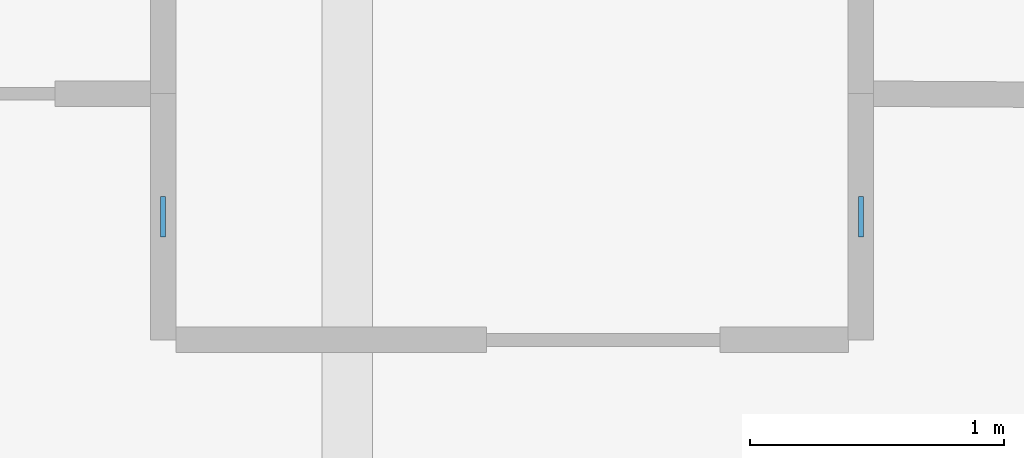
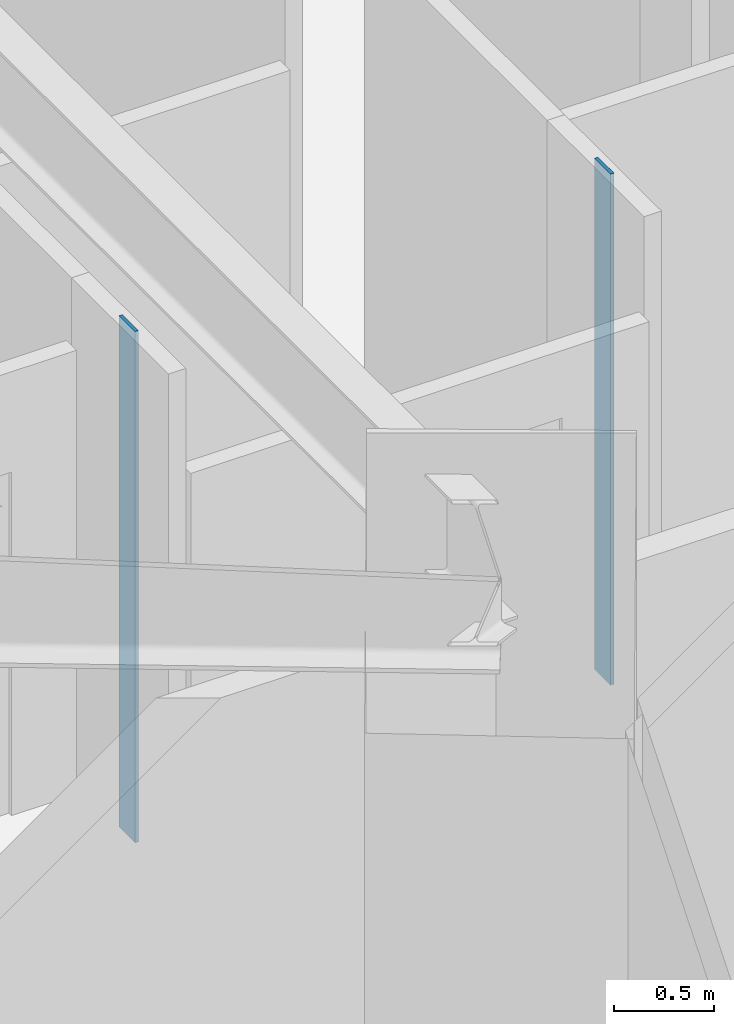
# One storey, part 4 of 13: 2 plates.
"""IFC4 building model written with IfcOpenShell, lengths in metres."""

from ifc_helpers import new_model, si_unit, direction, frame, origin, origin_2d, place, context, subcontext, project, spatial, rectangle, extrude, material, layer, layer_set, type_object, element, save


model = new_model("IFC4")

# Units and contexts
model_context = context("Model", 3, precision=1e-05, world=origin(), true_north=direction((0.0, 1.0)))
body_context = subcontext(model_context, "Body", "Model", "MODEL_VIEW")
ifc_project = project(units=[si_unit("LENGTHUNIT", "METRE"), si_unit("AREAUNIT", "SQUARE_METRE"), si_unit("VOLUMEUNIT", "CUBIC_METRE"), si_unit("PLANEANGLEUNIT", "RADIAN"), si_unit("MASSUNIT", "GRAM", prefix="KILO")], contexts=[model_context])

# Site, building, storey
site_placement = place(None, origin())
site = spatial("IfcSite", under=ifc_project, at=site_placement, CompositionType="ELEMENT")
building_placement = place(site_placement, origin())
building = spatial("IfcBuilding", under=site, at=building_placement, Name="Miruveldt Soraemaru", CompositionType="ELEMENT")
storey_placement = place(building_placement, frame((0.0, 0.0, 73.39990234375)))
storey = spatial("IfcBuildingStorey", under=building, at=storey_placement, Name="L20", CompositionType="ELEMENT", Elevation=73.39990234375)

# Plates
ifc_material = material(Name="Anodised aluminium EN AW-6063 T6", Category="aluminium")
ifc_layer = layer(ifc_material, 0.02001953125, Name="Anodised aluminium EN AW-6063 T6", Category="aluminium")
ifc_layer_set = layer_set([ifc_layer], Name="Anodised aluminium EN AW-6063 T6")
plate_type = type_object("IfcPlateType", Name="PLT-PART-TRIM", PredefinedType="SHEET", material=ifc_layer_set)
for number, where, z_axis, x_axis, name in (
    (1, (63.3798828125, 35.364990234375, 0.0), (0.0, 0.0, 1.0), (0.0, 1.0, 0.0), "L20 Partition Step Corner Trim Plate 065"),
    (2, (60.6298828125, 35.364990234375, 0.0), (0.0, 0.0, 1.0), (0.0, -1.0, 0.0), "L20 Partition Step Corner Trim Plate 066"),
):
    element("IfcPlate", number, at=place(storey_placement, frame(where, z_axis=z_axis, x_axis=x_axis)), inside=storey, type_object=plate_type, Name=name, PredefinedType="SHEET", context=body_context, shape_type="SweptSolid", body=[
        extrude(rectangle(XDim=0.159912109375, YDim=0.02001953125, at=origin_2d()), origin(), (0.0, 0.0, 1.0), 3.125),
    ])

save(model, "model.ifc")
